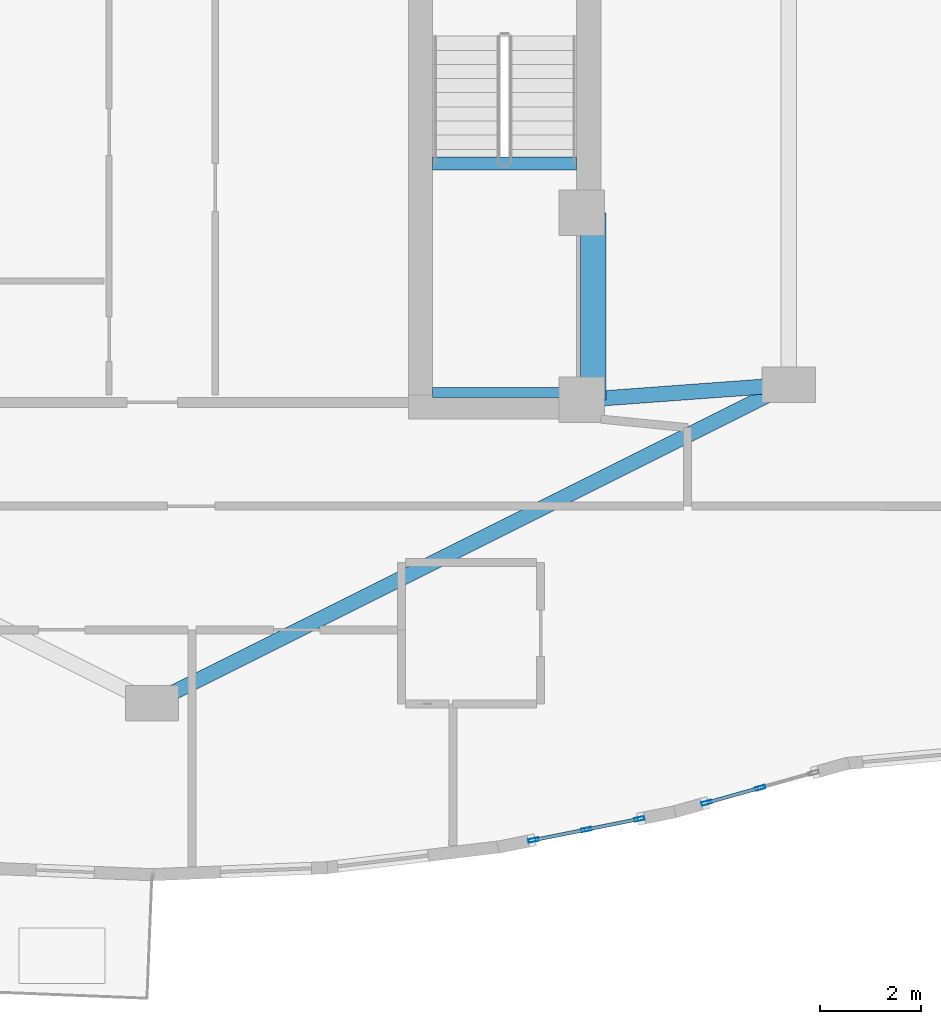
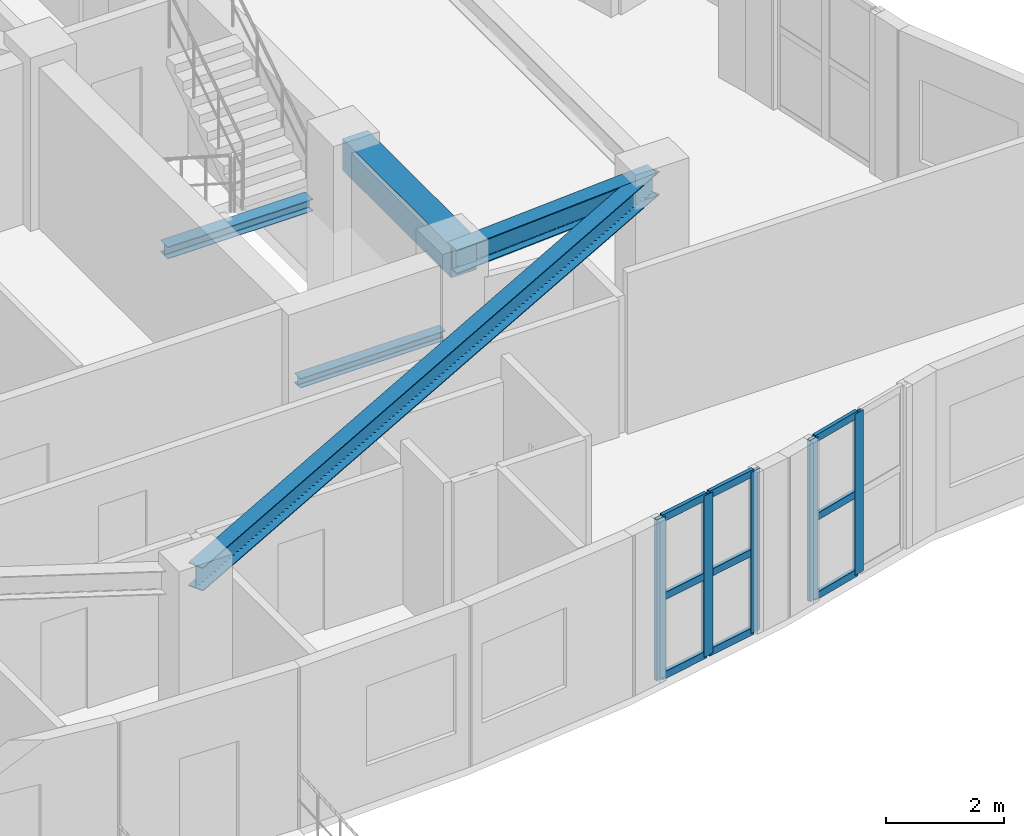
# One storey, part 2 of 15: 14 members, 5 beams, 2 elements without a shape of their own.
"""IFC4 building model written with IfcOpenShell, lengths in metres."""

from ifc_helpers import new_model, si_unit, direction, frame, origin, origin_2d, place, context, subcontext, project, spatial, rectangle, hollow_rectangle, i_section, extrude, material, layer, layer_set, material_profile, profile_set, type_object, element, aggregate, save


model = new_model("IFC4")

# Units and contexts
model_context = context("Model", 3, precision=1e-05, world=origin(), true_north=direction((0.0, 1.0)))
body_context = subcontext(model_context, "Body", "Model", "MODEL_VIEW")
ifc_project = project(units=[si_unit("LENGTHUNIT", "METRE"), si_unit("AREAUNIT", "SQUARE_METRE"), si_unit("VOLUMEUNIT", "CUBIC_METRE"), si_unit("PLANEANGLEUNIT", "RADIAN"), si_unit("MASSUNIT", "GRAM", prefix="KILO")], contexts=[model_context])

# Site, building, storey
site_placement = place(None, origin())
site = spatial("IfcSite", under=ifc_project, at=site_placement, CompositionType="ELEMENT")
building_placement = place(site_placement, origin())
building = spatial("IfcBuilding", under=site, at=building_placement, Name="Miruveldt Soraemaru", CompositionType="ELEMENT")
storey_placement = place(building_placement, frame((0.0, 0.0, 234.0)))
storey = spatial("IfcBuildingStorey", under=building, at=storey_placement, Name="L64", CompositionType="ELEMENT", Elevation=234.0)

# Beams
ifc_material_1 = material(Name="Concrete C50/60 (50 MPa)", Category="concrete")
ifc_material_profile_1 = material_profile(ifc_material_1, rectangle(XDim=0.5, YDim=0.64990234375, at=origin_2d()), Name="Concrete C50/60 (50 MPa)", Category="concrete")
ifc_profile_set_1 = profile_set([ifc_material_profile_1], Name="Concrete C50/60 (50 MPa)")
beam_type_1 = type_object("IfcBeamType", Name="BM-RC-500x650", PredefinedType="BEAM", material=ifc_profile_set_1)
beam_1_placement = place(storey_placement, frame((52.72998046875, 35.5, 3.02001953125), z_axis=(0.0, 1.0, 0.0), x_axis=(-1.0, 0.0, 0.0)))
element("IfcBeam", 1, at=beam_1_placement, inside=storey, type_object=beam_type_1, Name="L64 Core Tie Beam 3", PredefinedType="BEAM", context=body_context, shape_type="SweptSolid", body=[
    extrude(rectangle(XDim=0.5, YDim=0.64990234375, at=origin_2d()), origin(), (0.0, 0.0, 1.0), 3.699951171875),
])
ifc_material_2 = material(Name="Steel SM355 (355 MPa)", Category="steel")
ifc_material_profile_2 = material_profile(ifc_material_2, i_section(OverallWidth=0.300048828125, OverallDepth=0.488037109375, WebThickness=0.010986328125, FlangeThickness=0.01806640625, FilletRadius=0.02587890625, at=origin_2d()), Name="Steel SM355 (355 MPa)", Category="steel")
ifc_profile_set_2 = profile_set([ifc_material_profile_2], Name="Steel SM355 (355 MPa)")
beam_type_2 = type_object("IfcBeamType", Name="BM-ST-H488", PredefinedType="BEAM", material=ifc_profile_set_2)
beam_2_placement = place(storey_placement, frame((56.60009765625, 35.800048828125, 3.10107421875), z_axis=(-0.894427191, -0.4472135955, 0.0), x_axis=(0.4472135955, -0.894427191, 0.0)))
element("IfcBeam", 2, at=beam_2_placement, inside=storey, type_object=beam_type_2, Name="L64 Inner Ring Girder 3", PredefinedType="BEAM", context=body_context, shape_type="SweptSolid", body=[
    extrude(i_section(OverallWidth=0.300048828125, OverallDepth=0.488037109375, WebThickness=0.010986328125, FlangeThickness=0.01806640625, FilletRadius=0.02587890625, at=origin_2d()), origin(), (0.0, 0.0, 1.0), 14.08740234375),
])
beam_3_placement = place(storey_placement, frame((52.5, 35.5, 3.10107421875), z_axis=(0.997332985605, 0.072985723431, 0.0), x_axis=(-0.072985723431, 0.997332985605, 0.0)))
element("IfcBeam", 3, at=beam_3_placement, inside=storey, type_object=beam_type_2, Name="L64 Core-to-Inner Radial Girder 3", PredefinedType="BEAM", context=body_context, shape_type="SweptSolid", body=[
    extrude(i_section(OverallWidth=0.300048828125, OverallDepth=0.488037109375, WebThickness=0.010986328125, FlangeThickness=0.01806640625, FilletRadius=0.02587890625, at=origin_2d()), origin(), (0.0, 0.0, 1.0), 4.111083984375),
])
ifc_material_profile_3 = material_profile(ifc_material_2, i_section(OverallWidth=0.199951171875, OverallDepth=0.199951171875, WebThickness=0.008056640625, FlangeThickness=0.011962890625, FilletRadius=0.012939453125, at=origin_2d()), Name="Steel SM355 (355 MPa)", Category="steel")
ifc_profile_set_3 = profile_set([ifc_material_profile_3], Name="Steel SM355 (355 MPa)")
beam_type_3 = type_object("IfcBeamType", Name="BM-ST-LND200", PredefinedType="BEAM", material=ifc_profile_set_3)
beam_4_placement = place(storey_placement, frame((49.550048828125, 35.64990234375, 1.5), z_axis=(1.0, 0.0, 0.0), x_axis=(0.0, 1.0, 0.0)))
element("IfcBeam", 4, at=beam_4_placement, inside=storey, type_object=beam_type_3, Name="L64 ST2 Landing End Beam 1B", PredefinedType="BEAM", context=body_context, shape_type="SweptSolid", body=[
    extrude(i_section(OverallWidth=0.199951171875, OverallDepth=0.199951171875, WebThickness=0.008056640625, FlangeThickness=0.011962890625, FilletRadius=0.012939453125, at=origin_2d()), origin(), (0.0, 0.0, 1.0), 2.849853515625),
])
ifc_material_profile_4 = material_profile(ifc_material_2, i_section(OverallWidth=0.25, OverallDepth=0.25, WebThickness=0.009033203125, FlangeThickness=0.013916015625, FilletRadius=0.01611328125, at=origin_2d()), Name="Steel SM355 (355 MPa)", Category="steel")
ifc_profile_set_4 = profile_set([ifc_material_profile_4], Name="Steel SM355 (355 MPa)")
beam_type_4 = type_object("IfcBeamType", Name="BM-ST-LND250", PredefinedType="BEAM", material=ifc_profile_set_4)
beam_5_placement = place(storey_placement, frame((49.550048828125, 40.179931640625, 1.47509765625), z_axis=(1.0, 0.0, 0.0), x_axis=(0.0, 1.0, 0.0)))
element("IfcBeam", 5, at=beam_5_placement, inside=storey, type_object=beam_type_4, Name="L64 ST2 Landing Support Beam 1A", PredefinedType="BEAM", context=body_context, shape_type="SweptSolid", body=[
    extrude(i_section(OverallWidth=0.25, OverallDepth=0.25, WebThickness=0.009033203125, FlangeThickness=0.013916015625, FilletRadius=0.01611328125, at=origin_2d()), origin(), (0.0, 0.0, 1.0), 2.849853515625),
])

# Curtain wall, members
ifc_material_3 = material(Name="Anodised aluminium EN AW-6063 T6", Category="aluminium")
ifc_layer = layer(ifc_material_3, 0.199951171875, Name="Anodised aluminium EN AW-6063 T6", Category="aluminium")
ifc_layer_set = layer_set([ifc_layer], Name="Anodised aluminium EN AW-6063 T6")
curtain_wall_type = type_object("IfcCurtainWallType", Name="CW-SYS-3", PredefinedType="USERDEFINED", material=ifc_layer_set)
curtain_wall_1_placement = place(storey_placement, origin())
curtain_wall_1 = element("IfcCurtainWall", 6, at=curtain_wall_1_placement, inside=storey, type_object=curtain_wall_type, Name="L64 Curtain Wall Bay 27", ObjectType="UNITISED GLAZING", PredefinedType="USERDEFINED")
ifc_material_profile_5 = material_profile(ifc_material_3, hollow_rectangle(XDim=0.070068359375, YDim=0.199951171875, WallThickness=0.00390625, at=origin_2d()), Name="Anodised aluminium EN AW-6063 T6", Category="aluminium")
ifc_profile_set_5 = profile_set([ifc_material_profile_5], Name="Anodised aluminium EN AW-6063 T6")
member_type_1 = type_object("IfcMemberType", Name="CWM-3", PredefinedType="MULLION", material=ifc_profile_set_5)
member_1_placement = place(storey_placement, frame((51.548095703125, 26.7880859375, 0.0), z_axis=(0.0, 0.0, 1.0), x_axis=(-0.196107417382, 0.980582419202, 0.0)))
member_1 = element("IfcMember", 7, at=member_1_placement, type_object=member_type_1, Name="CW-3 mullion 1", PredefinedType="MULLION", context=body_context, shape_type="SweptSolid", body=[
    extrude(hollow_rectangle(XDim=0.070068359375, YDim=0.199951171875, WallThickness=0.00390625, at=origin_2d()), origin(), (0.0, 0.0, 1.0), 3.344970703125),
])
member_2_placement = place(storey_placement, frame((52.59521484375, 26.99755859375, 0.0), z_axis=(0.0, 0.0, 1.0), x_axis=(-0.196107417382, 0.980582419202, 0.0)))
member_2 = element("IfcMember", 8, at=member_2_placement, type_object=member_type_1, Name="CW-3 mullion 2", PredefinedType="MULLION", context=body_context, shape_type="SweptSolid", body=[
    extrude(hollow_rectangle(XDim=0.070068359375, YDim=0.199951171875, WallThickness=0.00390625, at=origin_2d()), origin(), (0.0, 0.0, 1.0), 3.344970703125),
])
member_3_placement = place(storey_placement, frame((53.642578125, 27.20703125, 0.0), z_axis=(0.0, 0.0, 1.0), x_axis=(-0.196107417382, 0.980582419202, 0.0)))
member_3 = element("IfcMember", 9, at=member_3_placement, type_object=member_type_1, Name="CW-3 mullion 3", PredefinedType="MULLION", context=body_context, shape_type="SweptSolid", body=[
    extrude(hollow_rectangle(XDim=0.070068359375, YDim=0.199951171875, WallThickness=0.00390625, at=origin_2d()), origin(), (0.0, 0.0, 1.0), 3.344970703125),
])

curtain_wall_2_placement = place(storey_placement, origin())
curtain_wall_2 = element("IfcCurtainWall", 10, at=curtain_wall_2_placement, inside=storey, type_object=curtain_wall_type, Name="L64 Curtain Wall Bay 28", ObjectType="UNITISED GLAZING", PredefinedType="USERDEFINED")
member_4_placement = place(storey_placement, frame((54.97412109375, 27.526123046875, 0.0), z_axis=(0.0, 0.0, 1.0), x_axis=(-0.269597245955, 0.962973169394, 0.0)))
member_4 = element("IfcMember", 11, at=member_4_placement, type_object=member_type_1, Name="CW-3 mullion 1", PredefinedType="MULLION", context=body_context, shape_type="SweptSolid", body=[
    extrude(hollow_rectangle(XDim=0.070068359375, YDim=0.199951171875, WallThickness=0.00390625, at=origin_2d()), origin(), (0.0, 0.0, 1.0), 3.344970703125),
])
member_5_placement = place(storey_placement, frame((56.033447265625, 27.822509765625, 0.0), z_axis=(0.0, 0.0, 1.0), x_axis=(-0.269597245955, 0.962973169394, 0.0)))
member_5 = element("IfcMember", 12, at=member_5_placement, type_object=member_type_1, Name="CW-3 mullion 2", PredefinedType="MULLION", context=body_context, shape_type="SweptSolid", body=[
    extrude(hollow_rectangle(XDim=0.070068359375, YDim=0.199951171875, WallThickness=0.00390625, at=origin_2d()), origin(), (0.0, 0.0, 1.0), 3.344970703125),
])

# Member
ifc_material_profile_6 = material_profile(ifc_material_3, hollow_rectangle(XDim=0.070068359375, YDim=0.14990234375, WallThickness=0.00390625, at=origin_2d()), Name="Anodised aluminium EN AW-6063 T6", Category="aluminium")
ifc_profile_set_6 = profile_set([ifc_material_profile_6], Name="Anodised aluminium EN AW-6063 T6")
member_type_2 = type_object("IfcMemberType", Name="CWT-3", PredefinedType="USERDEFINED", material=ifc_profile_set_6)
member_6_placement = place(storey_placement, frame((51.582275390625, 26.794921875, 0.034912109375), z_axis=(0.98057126716, 0.196163171929, 0.0), x_axis=(-0.196163171929, 0.98057126716, 0.0)))
member_6 = element("IfcMember", 13, at=member_6_placement, type_object=member_type_2, Name="CW-3 transom 1.1", ObjectType="TRANSOM", PredefinedType="USERDEFINED", context=body_context, shape_type="SweptSolid", body=[
    extrude(hollow_rectangle(XDim=0.070068359375, YDim=0.14990234375, WallThickness=0.00390625, at=origin_2d()), origin(), (0.0, 0.0, 1.0), 0.998046875),
])

member_7_placement = place(storey_placement, frame((51.582275390625, 26.794921875, 1.672607421875), z_axis=(0.98057126716, 0.196163171929, 0.0), x_axis=(-0.196163171929, 0.98057126716, 0.0)))
member_7 = element("IfcMember", 14, at=member_7_placement, type_object=member_type_2, Name="CW-3 transom 1.2", ObjectType="TRANSOM", PredefinedType="USERDEFINED", context=body_context, shape_type="SweptSolid", body=[
    extrude(hollow_rectangle(XDim=0.070068359375, YDim=0.14990234375, WallThickness=0.00390625, at=origin_2d()), origin(), (0.0, 0.0, 1.0), 0.998046875),
])

member_8_placement = place(storey_placement, frame((51.582275390625, 26.794921875, 3.31005859375), z_axis=(0.98057126716, 0.196163171929, 0.0), x_axis=(-0.196163171929, 0.98057126716, 0.0)))
member_8 = element("IfcMember", 15, at=member_8_placement, type_object=member_type_2, Name="CW-3 transom 1.3", ObjectType="TRANSOM", PredefinedType="USERDEFINED", context=body_context, shape_type="SweptSolid", body=[
    extrude(hollow_rectangle(XDim=0.070068359375, YDim=0.14990234375, WallThickness=0.00390625, at=origin_2d()), origin(), (0.0, 0.0, 1.0), 0.998046875),
])

member_9_placement = place(storey_placement, frame((52.629638671875, 27.00439453125, 0.034912109375), z_axis=(0.980608895866, 0.195974981434, 0.0), x_axis=(-0.195974981434, 0.980608895866, 0.0)))
member_9 = element("IfcMember", 16, at=member_9_placement, type_object=member_type_2, Name="CW-3 transom 2.1", ObjectType="TRANSOM", PredefinedType="USERDEFINED", context=body_context, shape_type="SweptSolid", body=[
    extrude(hollow_rectangle(XDim=0.070068359375, YDim=0.14990234375, WallThickness=0.00390625, at=origin_2d()), origin(), (0.0, 0.0, 1.0), 0.997802734375),
])

member_10_placement = place(storey_placement, frame((52.629638671875, 27.00439453125, 1.672607421875), z_axis=(0.980608895866, 0.195974981434, 0.0), x_axis=(-0.195974981434, 0.980608895866, 0.0)))
member_10 = element("IfcMember", 17, at=member_10_placement, type_object=member_type_2, Name="CW-3 transom 2.2", ObjectType="TRANSOM", PredefinedType="USERDEFINED", context=body_context, shape_type="SweptSolid", body=[
    extrude(hollow_rectangle(XDim=0.070068359375, YDim=0.14990234375, WallThickness=0.00390625, at=origin_2d()), origin(), (0.0, 0.0, 1.0), 0.997802734375),
])

member_11_placement = place(storey_placement, frame((52.629638671875, 27.00439453125, 3.31005859375), z_axis=(0.980608895866, 0.195974981434, 0.0), x_axis=(-0.195974981434, 0.980608895866, 0.0)))
member_11 = element("IfcMember", 18, at=member_11_placement, type_object=member_type_2, Name="CW-3 transom 2.3", ObjectType="TRANSOM", PredefinedType="USERDEFINED", context=body_context, shape_type="SweptSolid", body=[
    extrude(hollow_rectangle(XDim=0.070068359375, YDim=0.14990234375, WallThickness=0.00390625, at=origin_2d()), origin(), (0.0, 0.0, 1.0), 0.997802734375),
])

aggregate(curtain_wall_1, [member_1, member_2, member_3, member_6, member_7, member_8, member_9, member_10, member_11])

member_12_placement = place(storey_placement, frame((55.0078125, 27.535400390625, 0.034912109375), z_axis=(0.962941863395, 0.269709042713, 0.0), x_axis=(-0.269709042713, 0.962941863395, 0.0)))
member_12 = element("IfcMember", 19, at=member_12_placement, type_object=member_type_2, Name="CW-3 transom 1.1", ObjectType="TRANSOM", PredefinedType="USERDEFINED", context=body_context, shape_type="SweptSolid", body=[
    extrude(hollow_rectangle(XDim=0.070068359375, YDim=0.14990234375, WallThickness=0.00390625, at=origin_2d()), origin(), (0.0, 0.0, 1.0), 1.030029296875),
])

member_13_placement = place(storey_placement, frame((55.0078125, 27.535400390625, 1.672607421875), z_axis=(0.962941863395, 0.269709042713, 0.0), x_axis=(-0.269709042713, 0.962941863395, 0.0)))
member_13 = element("IfcMember", 20, at=member_13_placement, type_object=member_type_2, Name="CW-3 transom 1.2", ObjectType="TRANSOM", PredefinedType="USERDEFINED", context=body_context, shape_type="SweptSolid", body=[
    extrude(hollow_rectangle(XDim=0.070068359375, YDim=0.14990234375, WallThickness=0.00390625, at=origin_2d()), origin(), (0.0, 0.0, 1.0), 1.030029296875),
])

member_14_placement = place(storey_placement, frame((55.0078125, 27.535400390625, 3.31005859375), z_axis=(0.962941863395, 0.269709042713, 0.0), x_axis=(-0.269709042713, 0.962941863395, 0.0)))
member_14 = element("IfcMember", 21, at=member_14_placement, type_object=member_type_2, Name="CW-3 transom 1.3", ObjectType="TRANSOM", PredefinedType="USERDEFINED", context=body_context, shape_type="SweptSolid", body=[
    extrude(hollow_rectangle(XDim=0.070068359375, YDim=0.14990234375, WallThickness=0.00390625, at=origin_2d()), origin(), (0.0, 0.0, 1.0), 1.030029296875),
])

aggregate(curtain_wall_2, [member_4, member_5, member_12, member_13, member_14])

save(model, "model.ifc")
